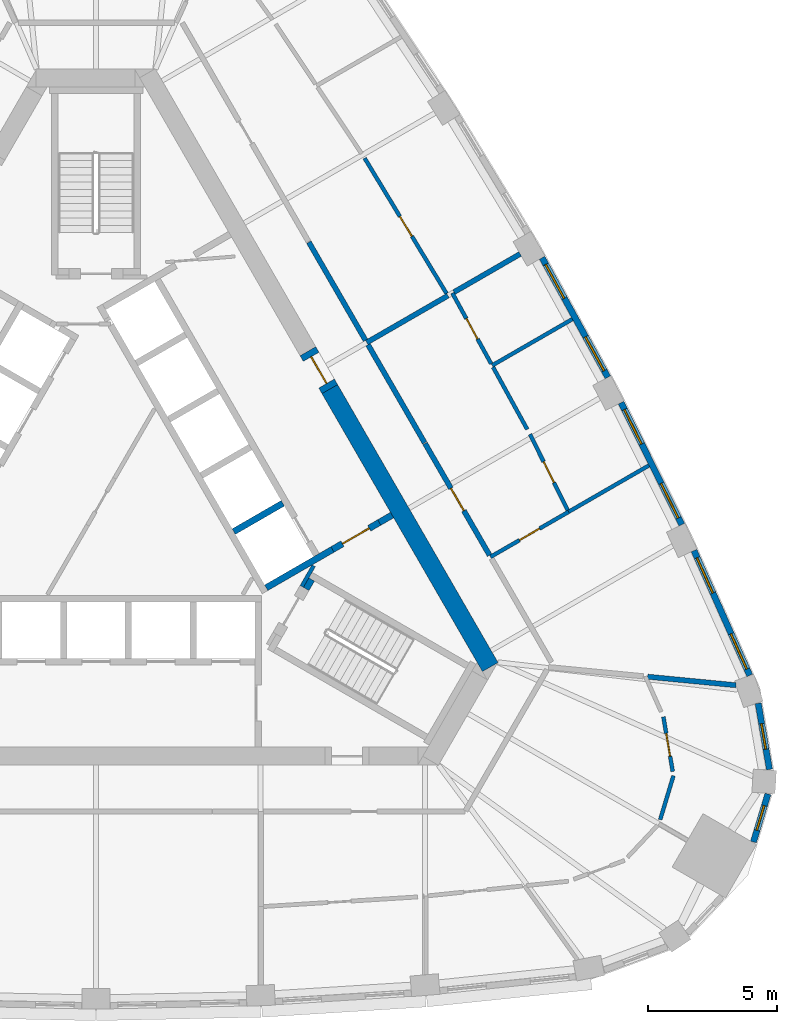
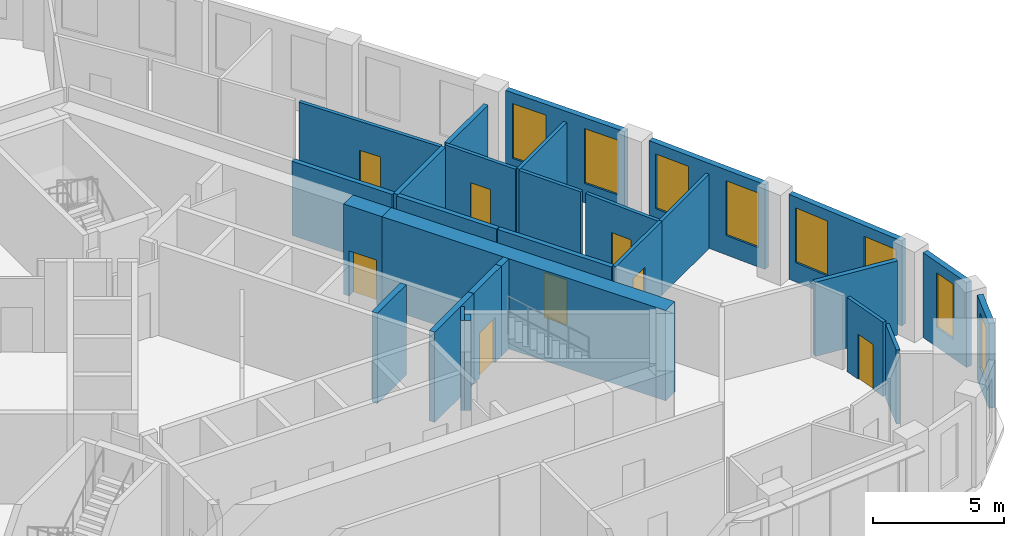
# One storey, part 7 of 10: 28 walls, 8 doors, 8 windows, 16 openings.
"""IFC4 building model written with IfcOpenShell, lengths in metres."""

from ifc_helpers import new_model, si_unit, direction, frame, frame_2d, origin, place, context, subcontext, project, spatial, rectangle, extrude, material, layer, layer_set, type_object, element, fill, save


model = new_model("IFC4")

# Units and contexts
model_context = context("Model", 3, precision=1e-05, world=origin(), true_north=direction((0.0, 1.0)))
body_context = subcontext(model_context, "Body", "Model", "MODEL_VIEW")
ifc_project = project(units=[si_unit("LENGTHUNIT", "METRE"), si_unit("AREAUNIT", "SQUARE_METRE"), si_unit("VOLUMEUNIT", "CUBIC_METRE"), si_unit("PLANEANGLEUNIT", "RADIAN"), si_unit("MASSUNIT", "GRAM", prefix="KILO")], contexts=[model_context])

# Site, building, storey
site_placement = place(None, origin())
site = spatial("IfcSite", under=ifc_project, at=site_placement, CompositionType="ELEMENT")
building_placement = place(site_placement, origin())
building = spatial("IfcBuilding", under=site, at=building_placement, Name="Mestral Congress Tower", CompositionType="ELEMENT")
storey_placement = place(building_placement, frame((0.0, 0.0, 235.199951171875)))
storey = spatial("IfcBuildingStorey", under=building, at=storey_placement, Name="L55", CompositionType="ELEMENT", Elevation=235.199951171875)

# Wall
ifc_material_1 = material(Name="Concrete C60/75", Category="concrete")
ifc_layer_1 = layer(ifc_material_1, 0.699951171875)
ifc_layer_set_1 = layer_set([ifc_layer_1], Name="Concrete C60/75")
wall_type_1 = type_object("IfcWallType", Name="Core wall RC 700", PredefinedType="SOLIDWALL", material=ifc_layer_set_1)
wall_1_placement = place(storey_placement, frame((9.085205078125, 4.263916015625, 0.0), z_axis=(0.0, 0.0, 1.0), x_axis=(0.499998082512, -0.866026510844, 0.0)))
element("IfcWall", 1, at=wall_1_placement, inside=storey, type_object=wall_type_1, Name="L55 core wall", PredefinedType="SOLIDWALL", context=body_context, shape_type="SweptSolid", body=[
    extrude(rectangle(XDim=12.47216796875, YDim=0.699951171875, at=frame_2d((6.236083984375, 0.0))), origin(), (0.0, 0.0, 1.0), 4.199951171875),
])

# Wall, opening, door
wall_2_placement = place(storey_placement, frame((8.2353515625, 5.736083984375, 0.0), z_axis=(0.0, 0.0, 1.0), x_axis=(0.499954529098, -0.86605165483, 0.0)))
wall_2 = element("IfcWall", 2, at=wall_2_placement, inside=storey, type_object=wall_type_1, Name="L55 door wall", PredefinedType="SOLIDWALL", context=body_context, shape_type="SweptSolid", body=[
    extrude(rectangle(XDim=1.699951171875, YDim=0.699951171875, at=frame_2d((0.85009765625, 0.0))), origin(), (0.0, 0.0, 1.0), 4.199951171875),
])
opening_1_placement = place(wall_2_placement, frame((0.25, 0.0, 0.0)))
opening_1 = element("IfcOpeningElement", 3, at=opening_1_placement, cuts=wall_2, Name="Opening XDL", PredefinedType="OPENING", context=body_context, shape_type="SweptSolid", body=[
    extrude(rectangle(XDim=1.199951171875, YDim=2.10009765625, at=frame_2d((0.60009765625, 1.050048828125))), frame((0.0, 0.35986328125, 0.0), z_axis=(0.0, -1.0, 0.0), x_axis=(1.0, 0.0, 0.0)), (0.0, 0.0, 1.0), 0.719970703125),
])
ifc_material_2 = material(Name="Fire-rated steel door set", Category="steel")
door_type_1 = type_object("IfcDoorType", Name="Core door XD 1200x2100", OperationType="SINGLE_SWING_LEFT", PredefinedType="DOOR", material=ifc_material_2)
door_1_placement = place(opening_1_placement, origin())
door_1 = element("IfcDoor", 4, at=door_1_placement, inside=storey, type_object=door_type_1, Name="Door XDL", OperationType="SINGLE_SWING_LEFT", OverallHeight=2.10009765625, OverallWidth=1.199951171875, PredefinedType="DOOR", context=body_context, shape_type="SweptSolid", body=[
    extrude(rectangle(XDim=1.199951171875, YDim=2.10009765625, at=frame_2d((0.60009765625, 1.050048828125))), frame((0.0, 0.02490234375, 0.0), z_axis=(0.0, -1.0, 0.0), x_axis=(1.0, 0.0, 0.0)), (0.0, 0.0, 1.0), 0.050048828125),
])
fill(opening_1, door_1)

# Wall, opening, window
ifc_material_3 = material(Name="Precast concrete C40/50 with limestone facing", Category="masonry")
ifc_layer_2 = layer(ifc_material_3, 0.239990234375)
ifc_layer_set_2 = layer_set([ifc_layer_2], Name="Precast concrete C40/50 with limestone facing")
wall_type_2 = type_object("IfcWallType", Name="Facade stone wall 240", PredefinedType="SOLIDWALL", material=ifc_layer_set_2)
wall_3_placement = place(storey_placement, frame((25.5498046875, -13.334716796875, 0.0), z_axis=(0.0, 0.0, 1.0), x_axis=(0.288727209095, 0.957411405159, 0.0)))
wall_3 = element("IfcWall", 5, at=wall_3_placement, inside=storey, type_object=wall_type_2, Name="Facade wall K0-2", PredefinedType="SOLIDWALL", context=body_context, shape_type="SweptSolid", body=[
    extrude(rectangle(XDim=1.9482421875, YDim=0.239990234375, at=frame_2d((0.97412109375, 0.0))), origin(), (0.0, 0.0, 1.0), 3.949951171875),
])
opening_2_placement = place(wall_3_placement, frame((0.47412109375, 0.0, 0.89990234375)))
opening_2 = element("IfcOpeningElement", 6, at=opening_2_placement, cuts=wall_3, Name="Opening W5", PredefinedType="OPENING", context=body_context, shape_type="SweptSolid", body=[
    extrude(rectangle(XDim=1.0, YDim=2.550048828125, at=frame_2d((0.5, 1.27490234375))), frame((0.0, 0.1298828125, 0.0), z_axis=(0.0, -1.0, 0.0), x_axis=(1.0, 0.0, 0.0)), (0.0, 0.0, 1.0), 0.260009765625),
])
ifc_material_4 = material(Name="Clear low-emissivity double glazing", Category="glass")
window_type_1 = type_object("IfcWindowType", Name="Facade punched window 1000 x 2550 sill 900", PartitioningType="SINGLE_PANEL", PredefinedType="WINDOW", material=ifc_material_4)
window_1_placement = place(opening_2_placement, origin())
window_1 = element("IfcWindow", 7, at=window_1_placement, inside=storey, type_object=window_type_1, Name="Window K0-2", OverallHeight=2.550048828125, OverallWidth=1.0, PartitioningType="SINGLE_PANEL", PredefinedType="WINDOW", context=body_context, shape_type="SweptSolid", body=[
    extrude(rectangle(XDim=1.0, YDim=2.550048828125, at=frame_2d((0.5, 1.27490234375))), frame((0.0, 0.0400390625, 0.0), z_axis=(0.0, -1.0, 0.0), x_axis=(1.0, 0.0, 0.0)), (0.0, 0.0, 1.0), 0.06005859375),
])
fill(opening_2, window_1)

wall_4_placement = place(storey_placement, frame((26.171630859375, -10.517333984375, 0.0), z_axis=(0.0, 0.0, 1.0), x_axis=(-0.167660055546, 0.985844869021, 0.0)))
wall_4 = element("IfcWall", 8, at=wall_4_placement, inside=storey, type_object=wall_type_2, Name="Facade wall K0-3", PredefinedType="SOLIDWALL", context=body_context, shape_type="SweptSolid", body=[
    extrude(rectangle(XDim=2.609375, YDim=0.239990234375, at=frame_2d((1.3046875, 0.0))), origin(), (0.0, 0.0, 1.0), 3.949951171875),
])
opening_3_placement = place(wall_4_placement, frame((0.8046875, 0.0, 0.89990234375)))
opening_3 = element("IfcOpeningElement", 9, at=opening_3_placement, cuts=wall_4, Name="Opening W5", PredefinedType="OPENING", context=body_context, shape_type="SweptSolid", body=[
    extrude(rectangle(XDim=1.0, YDim=2.550048828125, at=frame_2d((0.5, 1.27490234375))), frame((0.0, 0.1298828125, 0.0), z_axis=(0.0, -1.0, 0.0), x_axis=(1.0, 0.0, 0.0)), (0.0, 0.0, 1.0), 0.260009765625),
])
window_2_placement = place(opening_3_placement, origin())
window_2 = element("IfcWindow", 10, at=window_2_placement, inside=storey, type_object=window_type_1, Name="Window K0-3", OverallHeight=2.550048828125, OverallWidth=1.0, PartitioningType="SINGLE_PANEL", PredefinedType="WINDOW", context=body_context, shape_type="SweptSolid", body=[
    extrude(rectangle(XDim=1.0, YDim=2.550048828125, at=frame_2d((0.5, 1.27490234375))), frame((0.0, 0.0400390625, 0.0), z_axis=(0.0, -1.0, 0.0), x_axis=(1.0, 0.0, 0.0)), (0.0, 0.0, 1.0), 0.06005859375),
])
fill(opening_3, window_2)

# Wall, openings, windows
wall_5_placement = place(storey_placement, frame((25.405029296875, -6.86083984375, 0.0), z_axis=(0.0, 0.0, 1.0), x_axis=(-0.407579651789, 0.913169659728, 0.0)))
wall_5 = element("IfcWall", 11, at=wall_5_placement, inside=storey, type_object=wall_type_2, Name="Facade wall F1-00", PredefinedType="SOLIDWALL", context=body_context, shape_type="SweptSolid", body=[
    extrude(rectangle(XDim=5.310791015625, YDim=0.239990234375, at=frame_2d((2.6552734375, 0.0))), origin(), (0.0, 0.0, 1.0), 3.949951171875),
])
opening_4_placement = place(wall_5_placement, frame((0.271484375, 0.0, 0.89990234375)))
opening_4 = element("IfcOpeningElement", 12, at=opening_4_placement, cuts=wall_5, Name="Opening W4", PredefinedType="OPENING", context=body_context, shape_type="SweptSolid", body=[
    extrude(rectangle(XDim=1.5, YDim=2.550048828125, at=frame_2d((0.75, 1.27490234375))), frame((0.0, 0.1298828125, 0.0), z_axis=(0.0, -1.0, 0.0), x_axis=(1.0, 0.0, 0.0)), (0.0, 0.0, 1.0), 0.260009765625),
])
opening_5_placement = place(wall_5_placement, frame((3.50439453125, 0.0, 0.89990234375)))
opening_5 = element("IfcOpeningElement", 13, at=opening_5_placement, cuts=wall_5, Name="Opening W4", PredefinedType="OPENING", context=body_context, shape_type="SweptSolid", body=[
    extrude(rectangle(XDim=1.5, YDim=2.550048828125, at=frame_2d((0.75, 1.27490234375))), frame((0.0, 0.1298828125, 0.0), z_axis=(0.0, -1.0, 0.0), x_axis=(1.0, 0.0, 0.0)), (0.0, 0.0, 1.0), 0.260009765625),
])
window_type_2 = type_object("IfcWindowType", Name="Facade punched window 1500 x 2550 sill 900", PartitioningType="SINGLE_PANEL", PredefinedType="WINDOW", material=ifc_material_4)
window_3_placement = place(opening_4_placement, origin())
window_3 = element("IfcWindow", 14, at=window_3_placement, inside=storey, type_object=window_type_2, Name="Window F1-00a", OverallHeight=2.550048828125, OverallWidth=1.5, PartitioningType="SINGLE_PANEL", PredefinedType="WINDOW", context=body_context, shape_type="SweptSolid", body=[
    extrude(rectangle(XDim=1.5, YDim=2.550048828125, at=frame_2d((0.75, 1.27490234375))), frame((0.0, 0.0400390625, 0.0), z_axis=(0.0, -1.0, 0.0), x_axis=(1.0, 0.0, 0.0)), (0.0, 0.0, 1.0), 0.06005859375),
])
fill(opening_4, window_3)
window_4_placement = place(opening_5_placement, origin())
window_4 = element("IfcWindow", 15, at=window_4_placement, inside=storey, type_object=window_type_2, Name="Window F1-00b", OverallHeight=2.550048828125, OverallWidth=1.5, PartitioningType="SINGLE_PANEL", PredefinedType="WINDOW", context=body_context, shape_type="SweptSolid", body=[
    extrude(rectangle(XDim=1.5, YDim=2.550048828125, at=frame_2d((0.75, 1.27490234375))), frame((0.0, 0.0400390625, 0.0), z_axis=(0.0, -1.0, 0.0), x_axis=(1.0, 0.0, 0.0)), (0.0, 0.0, 1.0), 0.06005859375),
])
fill(opening_5, window_4)

wall_6_placement = place(storey_placement, frame((22.765869140625, -1.0048828125, 0.0), z_axis=(0.0, 0.0, 1.0), x_axis=(-0.445129582031, 0.895466166419, 0.0)))
wall_6 = element("IfcWall", 16, at=wall_6_placement, inside=storey, type_object=wall_type_2, Name="Facade wall F1-01", PredefinedType="SOLIDWALL", context=body_context, shape_type="SweptSolid", body=[
    extrude(rectangle(XDim=5.29833984375, YDim=0.239990234375, at=frame_2d((2.649169921875, 0.0))), origin(), (0.0, 0.0, 1.0), 3.949951171875),
])
opening_6_placement = place(wall_6_placement, frame((0.294677734375, 0.0, 0.89990234375)))
opening_6 = element("IfcOpeningElement", 17, at=opening_6_placement, cuts=wall_6, Name="Opening W4", PredefinedType="OPENING", context=body_context, shape_type="SweptSolid", body=[
    extrude(rectangle(XDim=1.5, YDim=2.550048828125, at=frame_2d((0.75, 1.27490234375))), frame((0.0, 0.1298828125, 0.0), z_axis=(0.0, -1.0, 0.0), x_axis=(1.0, 0.0, 0.0)), (0.0, 0.0, 1.0), 0.260009765625),
])
opening_7_placement = place(wall_6_placement, frame((3.503662109375, 0.0, 0.89990234375)))
opening_7 = element("IfcOpeningElement", 18, at=opening_7_placement, cuts=wall_6, Name="Opening W4", PredefinedType="OPENING", context=body_context, shape_type="SweptSolid", body=[
    extrude(rectangle(XDim=1.5, YDim=2.550048828125, at=frame_2d((0.75, 1.27490234375))), frame((0.0, 0.1298828125, 0.0), z_axis=(0.0, -1.0, 0.0), x_axis=(1.0, 0.0, 0.0)), (0.0, 0.0, 1.0), 0.260009765625),
])
window_5_placement = place(opening_6_placement, origin())
window_5 = element("IfcWindow", 19, at=window_5_placement, inside=storey, type_object=window_type_2, Name="Window F1-01a", OverallHeight=2.550048828125, OverallWidth=1.5, PartitioningType="SINGLE_PANEL", PredefinedType="WINDOW", context=body_context, shape_type="SweptSolid", body=[
    extrude(rectangle(XDim=1.5, YDim=2.550048828125, at=frame_2d((0.75, 1.27490234375))), frame((0.0, 0.0400390625, 0.0), z_axis=(0.0, -1.0, 0.0), x_axis=(1.0, 0.0, 0.0)), (0.0, 0.0, 1.0), 0.06005859375),
])
fill(opening_6, window_5)
window_6_placement = place(opening_7_placement, origin())
window_6 = element("IfcWindow", 20, at=window_6_placement, inside=storey, type_object=window_type_2, Name="Window F1-01b", OverallHeight=2.550048828125, OverallWidth=1.5, PartitioningType="SINGLE_PANEL", PredefinedType="WINDOW", context=body_context, shape_type="SweptSolid", body=[
    extrude(rectangle(XDim=1.5, YDim=2.550048828125, at=frame_2d((0.75, 1.27490234375))), frame((0.0, 0.0400390625, 0.0), z_axis=(0.0, -1.0, 0.0), x_axis=(1.0, 0.0, 0.0)), (0.0, 0.0, 1.0), 0.06005859375),
])
fill(opening_7, window_6)

wall_7_placement = place(storey_placement, frame((19.8916015625, 4.725341796875, 0.0), z_axis=(0.0, 0.0, 1.0), x_axis=(-0.481925825015, 0.876212017256, 0.0)))
wall_7 = element("IfcWall", 21, at=wall_7_placement, inside=storey, type_object=wall_type_2, Name="Facade wall F1-02", PredefinedType="SOLIDWALL", context=body_context, shape_type="SweptSolid", body=[
    extrude(rectangle(XDim=5.298583984375, YDim=0.239990234375, at=frame_2d((2.6494140625, 0.0))), origin(), (0.0, 0.0, 1.0), 3.949951171875),
])
opening_8_placement = place(wall_7_placement, frame((0.294677734375, 0.0, 0.89990234375)))
opening_8 = element("IfcOpeningElement", 22, at=opening_8_placement, cuts=wall_7, Name="Opening W4", PredefinedType="OPENING", context=body_context, shape_type="SweptSolid", body=[
    extrude(rectangle(XDim=1.5, YDim=2.550048828125, at=frame_2d((0.75, 1.27490234375))), frame((0.0, 0.1298828125, 0.0), z_axis=(0.0, -1.0, 0.0), x_axis=(1.0, 0.0, 0.0)), (0.0, 0.0, 1.0), 0.260009765625),
])
opening_9_placement = place(wall_7_placement, frame((3.503662109375, 0.0, 0.89990234375)))
opening_9 = element("IfcOpeningElement", 23, at=opening_9_placement, cuts=wall_7, Name="Opening W4", PredefinedType="OPENING", context=body_context, shape_type="SweptSolid", body=[
    extrude(rectangle(XDim=1.5, YDim=2.550048828125, at=frame_2d((0.75, 1.27490234375))), frame((0.0, 0.1298828125, 0.0), z_axis=(0.0, -1.0, 0.0), x_axis=(1.0, 0.0, 0.0)), (0.0, 0.0, 1.0), 0.260009765625),
])
window_7_placement = place(opening_8_placement, origin())
window_7 = element("IfcWindow", 24, at=window_7_placement, inside=storey, type_object=window_type_2, Name="Window F1-02a", OverallHeight=2.550048828125, OverallWidth=1.5, PartitioningType="SINGLE_PANEL", PredefinedType="WINDOW", context=body_context, shape_type="SweptSolid", body=[
    extrude(rectangle(XDim=1.5, YDim=2.550048828125, at=frame_2d((0.75, 1.27490234375))), frame((0.0, 0.0400390625, 0.0), z_axis=(0.0, -1.0, 0.0), x_axis=(1.0, 0.0, 0.0)), (0.0, 0.0, 1.0), 0.06005859375),
])
fill(opening_8, window_7)
window_8_placement = place(opening_9_placement, origin())
window_8 = element("IfcWindow", 25, at=window_8_placement, inside=storey, type_object=window_type_2, Name="Window F1-02b", OverallHeight=2.550048828125, OverallWidth=1.5, PartitioningType="SINGLE_PANEL", PredefinedType="WINDOW", context=body_context, shape_type="SweptSolid", body=[
    extrude(rectangle(XDim=1.5, YDim=2.550048828125, at=frame_2d((0.75, 1.27490234375))), frame((0.0, 0.0400390625, 0.0), z_axis=(0.0, -1.0, 0.0), x_axis=(1.0, 0.0, 0.0)), (0.0, 0.0, 1.0), 0.06005859375),
])
fill(opening_9, window_8)

# Wall
ifc_material_5 = material(Name="Plasterboard partition on steel studs", Category="steel")
ifc_layer_3 = layer(ifc_material_5, 0.14990234375)
ifc_layer_set_3 = layer_set([ifc_layer_3], Name="Plasterboard partition on steel studs")
wall_type_3 = type_object("IfcWallType", Name="Office partition 150", PredefinedType="PARTITIONING", material=ifc_layer_set_3)
wall_8_placement = place(storey_placement, frame((21.92529296875, -12.468994140625, 0.0), z_axis=(0.0, 0.0, 1.0), x_axis=(0.288767705809, 0.957399191603, 0.0)))
element("IfcWall", 26, at=wall_8_placement, inside=storey, type_object=wall_type_3, Name="Partition", PredefinedType="PARTITIONING", context=body_context, shape_type="SweptSolid", body=[
    extrude(rectangle(XDim=1.7822265625, YDim=0.14990234375, at=frame_2d((0.89111328125, 0.0))), origin(), (0.0, 0.0, 1.0), 3.449951171875),
])

# Wall, opening, door
wall_9_placement = place(storey_placement, frame((22.05029296875, -8.471435546875, 0.0), z_axis=(0.0, 0.0, 1.0), x_axis=(0.167612004459, -0.985853039738, 0.0)))
wall_9 = element("IfcWall", 27, at=wall_9_placement, inside=storey, type_object=wall_type_3, Name="Partition", PredefinedType="PARTITIONING", context=body_context, shape_type="SweptSolid", body=[
    extrude(rectangle(XDim=2.15576171875, YDim=0.14990234375, at=frame_2d((1.077880859375, 0.0))), origin(), (0.0, 0.0, 1.0), 3.449951171875),
])
opening_10_placement = place(wall_9_placement, frame((0.655517578125, 0.0, 0.0)))
opening_10 = element("IfcOpeningElement", 28, at=opening_10_placement, cuts=wall_9, Name="Opening O08-010", PredefinedType="OPENING", context=body_context, shape_type="SweptSolid", body=[
    extrude(rectangle(XDim=0.89990234375, YDim=2.10009765625, at=frame_2d((0.449951171875, 1.050048828125))), frame((0.0, 0.0849609375, 0.0), z_axis=(0.0, -1.0, 0.0), x_axis=(1.0, 0.0, 0.0)), (0.0, 0.0, 1.0), 0.169921875),
])
ifc_material_6 = material(Name="Timber door set", Category="wood")
door_type_2 = type_object("IfcDoorType", Name="Office door 900x2100", OperationType="SINGLE_SWING_LEFT", PredefinedType="DOOR", material=ifc_material_6)
door_2_placement = place(opening_10_placement, origin())
door_2 = element("IfcDoor", 29, at=door_2_placement, inside=storey, type_object=door_type_2, Name="Door O08-010", OperationType="SINGLE_SWING_RIGHT", OverallHeight=2.10009765625, OverallWidth=0.89990234375, PredefinedType="DOOR", context=body_context, shape_type="SweptSolid", body=[
    extrude(rectangle(XDim=0.89990234375, YDim=2.10009765625, at=frame_2d((0.449951171875, 1.050048828125))), frame((0.0, 0.02490234375, 0.0), z_axis=(0.0, -1.0, 0.0), x_axis=(1.0, 0.0, 0.0)), (0.0, 0.0, 1.0), 0.050048828125),
])
fill(opening_10, door_2)

# Wall
wall_10_placement = place(storey_placement, frame((18.360107421875, -0.5078125, 0.0), z_axis=(0.0, 0.0, 1.0), x_axis=(0.866033589339, 0.499985821935, 0.0)))
element("IfcWall", 30, at=wall_10_placement, inside=storey, type_object=wall_type_3, Name="Partition", PredefinedType="PARTITIONING", context=body_context, shape_type="SweptSolid", body=[
    extrude(rectangle(XDim=3.61083984375, YDim=0.14990234375, at=frame_2d((1.805419921875, 0.0))), origin(), (0.0, 0.0, 1.0), 3.449951171875),
])

# Wall, opening, door
wall_11_placement = place(storey_placement, frame((18.366943359375, -0.50390625, 0.0), z_axis=(0.0, 0.0, 1.0), x_axis=(-0.866056812483, -0.499945594592, 0.0)))
wall_11 = element("IfcWall", 31, at=wall_11_placement, inside=storey, type_object=wall_type_3, Name="Partition", PredefinedType="PARTITIONING", context=body_context, shape_type="SweptSolid", body=[
    extrude(rectangle(XDim=3.50439453125, YDim=0.14990234375, at=frame_2d((1.752197265625, 0.0))), origin(), (0.0, 0.0, 1.0), 3.449951171875),
])
opening_11_placement = place(wall_11_placement, frame((1.30419921875, 0.0, 0.0)))
opening_11 = element("IfcOpeningElement", 32, at=opening_11_placement, cuts=wall_11, Name="Opening O08-012", PredefinedType="OPENING", context=body_context, shape_type="SweptSolid", body=[
    extrude(rectangle(XDim=0.89990234375, YDim=2.10009765625, at=frame_2d((0.449951171875, 1.050048828125))), frame((0.0, 0.0849609375, 0.0), z_axis=(0.0, -1.0, 0.0), x_axis=(1.0, 0.0, 0.0)), (0.0, 0.0, 1.0), 0.169921875),
])
door_3_placement = place(opening_11_placement, origin())
door_3 = element("IfcDoor", 33, at=door_3_placement, inside=storey, type_object=door_type_2, Name="Door O08-012", OperationType="SINGLE_SWING_RIGHT", OverallHeight=2.10009765625, OverallWidth=0.89990234375, PredefinedType="DOOR", context=body_context, shape_type="SweptSolid", body=[
    extrude(rectangle(XDim=0.89990234375, YDim=2.10009765625, at=frame_2d((0.449951171875, 1.050048828125))), frame((0.0, 0.02490234375, 0.0), z_axis=(0.0, -1.0, 0.0), x_axis=(1.0, 0.0, 0.0)), (0.0, 0.0, 1.0), 0.050048828125),
])
fill(opening_11, door_3)

# Wall
wall_12_placement = place(storey_placement, frame((15.394287109375, 5.18310546875, 0.0), z_axis=(0.0, 0.0, 1.0), x_axis=(0.866039935929, 0.499974828743, 0.0)))
element("IfcWall", 34, at=wall_12_placement, inside=storey, type_object=wall_type_3, Name="Partition", PredefinedType="PARTITIONING", context=body_context, shape_type="SweptSolid", body=[
    extrude(rectangle(XDim=3.600830078125, YDim=0.14990234375, at=frame_2d((1.80029296875, 0.0))), origin(), (0.0, 0.0, 1.0), 3.449951171875),
])

# Wall, opening, door
wall_13_placement = place(storey_placement, frame((16.86279296875, 2.5126953125, 0.0), z_axis=(0.0, 0.0, 1.0), x_axis=(0.445197589821, -0.895432357031, 0.0)))
wall_13 = element("IfcWall", 35, at=wall_13_placement, inside=storey, type_object=wall_type_3, Name="Partition", PredefinedType="PARTITIONING", context=body_context, shape_type="SweptSolid", body=[
    extrude(rectangle(XDim=3.2958984375, YDim=0.14990234375, at=frame_2d((1.64794921875, 0.0))), origin(), (0.0, 0.0, 1.0), 3.449951171875),
])
opening_12_placement = place(wall_13_placement, frame((1.19580078125, 0.0, 0.0)))
opening_12 = element("IfcOpeningElement", 36, at=opening_12_placement, cuts=wall_13, Name="Opening O08-013", PredefinedType="OPENING", context=body_context, shape_type="SweptSolid", body=[
    extrude(rectangle(XDim=0.89990234375, YDim=2.10009765625, at=frame_2d((0.449951171875, 1.050048828125))), frame((0.0, 0.0849609375, 0.0), z_axis=(0.0, -1.0, 0.0), x_axis=(1.0, 0.0, 0.0)), (0.0, 0.0, 1.0), 0.169921875),
])
door_4_placement = place(opening_12_placement, origin())
door_4 = element("IfcDoor", 37, at=door_4_placement, inside=storey, type_object=door_type_2, Name="Door O08-013", OperationType="SINGLE_SWING_LEFT", OverallHeight=2.10009765625, OverallWidth=0.89990234375, PredefinedType="DOOR", context=body_context, shape_type="SweptSolid", body=[
    extrude(rectangle(XDim=0.89990234375, YDim=2.10009765625, at=frame_2d((0.449951171875, 1.050048828125))), frame((0.0, 0.02490234375, 0.0), z_axis=(0.0, -1.0, 0.0), x_axis=(1.0, 0.0, 0.0)), (0.0, 0.0, 1.0), 0.050048828125),
])
fill(opening_12, door_4)

# Wall
wall_14_placement = place(storey_placement, frame((16.759521484375, 2.700439453125, 0.0), z_axis=(0.0, 0.0, 1.0), x_axis=(-0.481888167687, 0.876232728128, 0.0)))
element("IfcWall", 38, at=wall_14_placement, inside=storey, type_object=wall_type_3, Name="Partition", PredefinedType="PARTITIONING", context=body_context, shape_type="SweptSolid", body=[
    extrude(rectangle(XDim=2.758056640625, YDim=0.14990234375, at=frame_2d((1.37890625, 0.0))), origin(), (0.0, 0.0, 1.0), 3.449951171875),
])

# Wall, opening, door
wall_15_placement = place(storey_placement, frame((13.84765625, 7.994873046875, 0.0), z_axis=(0.0, 0.0, 1.0), x_axis=(0.481894826099, -0.876229066272, 0.0)))
wall_15 = element("IfcWall", 39, at=wall_15_placement, inside=storey, type_object=wall_type_3, Name="Partition", PredefinedType="PARTITIONING", context=body_context, shape_type="SweptSolid", body=[
    extrude(rectangle(XDim=3.134033203125, YDim=0.14990234375, at=frame_2d((1.56689453125, 0.0))), origin(), (0.0, 0.0, 1.0), 3.449951171875),
])
opening_13_placement = place(wall_15_placement, frame((1.134033203125, 0.0, 0.0)))
opening_13 = element("IfcOpeningElement", 40, at=opening_13_placement, cuts=wall_15, Name="Opening O08-014", PredefinedType="OPENING", context=body_context, shape_type="SweptSolid", body=[
    extrude(rectangle(XDim=0.89990234375, YDim=2.10009765625, at=frame_2d((0.449951171875, 1.050048828125))), frame((0.0, 0.0849609375, 0.0), z_axis=(0.0, -1.0, 0.0), x_axis=(1.0, 0.0, 0.0)), (0.0, 0.0, 1.0), 0.169921875),
])
door_5_placement = place(opening_13_placement, origin())
door_5 = element("IfcDoor", 41, at=door_5_placement, inside=storey, type_object=door_type_2, Name="Door O08-014", OperationType="SINGLE_SWING_RIGHT", OverallHeight=2.10009765625, OverallWidth=0.89990234375, PredefinedType="DOOR", context=body_context, shape_type="SweptSolid", body=[
    extrude(rectangle(XDim=0.89990234375, YDim=2.10009765625, at=frame_2d((0.449951171875, 1.050048828125))), frame((0.0, 0.02490234375, 0.0), z_axis=(0.0, -1.0, 0.0), x_axis=(1.0, 0.0, 0.0)), (0.0, 0.0, 1.0), 0.050048828125),
])
fill(opening_13, door_5)

wall_16_placement = place(storey_placement, frame((10.438720703125, 13.240234375, 0.0), z_axis=(0.0, 0.0, 1.0), x_axis=(0.517837859082, -0.855478785068, 0.0)))
wall_16 = element("IfcWall", 42, at=wall_16_placement, inside=storey, type_object=wall_type_3, Name="Partition", PredefinedType="PARTITIONING", context=body_context, shape_type="SweptSolid", body=[
    extrude(rectangle(XDim=6.1484375, YDim=0.14990234375, at=frame_2d((3.07421875, 0.0))), origin(), (0.0, 0.0, 1.0), 3.449951171875),
])
opening_14_placement = place(wall_16_placement, frame((2.6484375, 0.0, 0.0)))
opening_14 = element("IfcOpeningElement", 43, at=opening_14_placement, cuts=wall_16, Name="Opening O08-016", PredefinedType="OPENING", context=body_context, shape_type="SweptSolid", body=[
    extrude(rectangle(XDim=0.89990234375, YDim=2.10009765625, at=frame_2d((0.449951171875, 1.050048828125))), frame((0.0, 0.0849609375, 0.0), z_axis=(0.0, -1.0, 0.0), x_axis=(1.0, 0.0, 0.0)), (0.0, 0.0, 1.0), 0.169921875),
])
door_6_placement = place(opening_14_placement, origin())
door_6 = element("IfcDoor", 44, at=door_6_placement, inside=storey, type_object=door_type_2, Name="Door O08-016", OperationType="SINGLE_SWING_RIGHT", OverallHeight=2.10009765625, OverallWidth=0.89990234375, PredefinedType="DOOR", context=body_context, shape_type="SweptSolid", body=[
    extrude(rectangle(XDim=0.89990234375, YDim=2.10009765625, at=frame_2d((0.449951171875, 1.050048828125))), frame((0.0, 0.02490234375, 0.0), z_axis=(0.0, -1.0, 0.0), x_axis=(1.0, 0.0, 0.0)), (0.0, 0.0, 1.0), 0.050048828125),
])
fill(opening_14, door_6)

# Walls
ifc_material_7 = material(Name="Dense masonry wall, plastered", Category="masonry")
ifc_layer_4 = layer(ifc_material_7, 0.199951171875)
ifc_layer_set_4 = layer_set([ifc_layer_4], Name="Dense masonry wall, plastered")
wall_type_4 = type_object("IfcWallType", Name="Office tenancy wall 200", PredefinedType="PARTITIONING", material=ifc_layer_set_4)
wall_17_placement = place(storey_placement, frame((21.4365234375, -6.91259765625, 0.0), z_axis=(0.0, 0.0, 1.0), x_axis=(0.995357015301, -0.096251816042, 0.0)))
element("IfcWall", 45, at=wall_17_placement, inside=storey, type_object=wall_type_4, Name="Tenancy wall", PredefinedType="PARTITIONING", context=body_context, shape_type="SweptSolid", body=[
    extrude(rectangle(XDim=3.44970703125, YDim=0.199951171875, at=frame_2d((1.724853515625, 0.0))), origin(), (0.0, 0.0, 1.0), 3.449951171875),
])
wall_18_placement = place(storey_placement, frame((13.91259765625, 8.032470703125, 0.0), z_axis=(0.0, 0.0, 1.0), x_axis=(0.866015594979, 0.500016988964, 0.0)))
element("IfcWall", 46, at=wall_18_placement, inside=storey, type_object=wall_type_4, Name="Tenancy wall", PredefinedType="PARTITIONING", context=body_context, shape_type="SweptSolid", body=[
    extrude(rectangle(XDim=2.9658203125, YDim=0.199951171875, at=frame_2d((1.48291015625, 0.0))), origin(), (0.0, 0.0, 1.0), 3.449951171875),
])
wall_19_placement = place(storey_placement, frame((10.522216796875, 6.074951171875, 0.0), z_axis=(0.0, 0.0, 1.0), x_axis=(0.866003708037, 0.500037576254, 0.0)))
element("IfcWall", 47, at=wall_19_placement, inside=storey, type_object=wall_type_4, Name="Tenancy wall", PredefinedType="PARTITIONING", context=body_context, shape_type="SweptSolid", body=[
    extrude(rectangle(XDim=3.643798828125, YDim=0.199951171875, at=frame_2d((1.82177734375, 0.0))), origin(), (0.0, 0.0, 1.0), 3.449951171875),
])
wall_20_placement = place(storey_placement, frame((12.772216796875, 2.177978515625, 0.0), z_axis=(0.0, 0.0, 1.0), x_axis=(-0.50001224981, 0.866018331238, 0.0)))
element("IfcWall", 48, at=wall_20_placement, inside=storey, type_object=wall_type_4, Name="Tenancy wall", PredefinedType="PARTITIONING", context=body_context, shape_type="SweptSolid", body=[
    extrude(rectangle(XDim=4.39990234375, YDim=0.199951171875, at=frame_2d((2.199951171875, 0.0))), origin(), (0.0, 0.0, 1.0), 3.449951171875),
])

# Wall, opening, door
wall_21_placement = place(storey_placement, frame((15.294677734375, -2.19091796875, 0.0), z_axis=(0.0, 0.0, 1.0), x_axis=(-0.500039923732, 0.86600235258, 0.0)))
wall_21 = element("IfcWall", 49, at=wall_21_placement, inside=storey, type_object=wall_type_4, Name="Tenancy wall", PredefinedType="PARTITIONING", context=body_context, shape_type="SweptSolid", body=[
    extrude(rectangle(XDim=5.0146484375, YDim=0.199951171875, at=frame_2d((2.50732421875, 0.0))), origin(), (0.0, 0.0, 1.0), 3.449951171875),
])
opening_15_placement = place(wall_21_placement, frame((2.0, 0.0, 0.0)))
opening_15 = element("IfcOpeningElement", 50, at=opening_15_placement, cuts=wall_21, Name="Opening O08-015", PredefinedType="OPENING", context=body_context, shape_type="SweptSolid", body=[
    extrude(rectangle(XDim=1.0, YDim=2.10009765625, at=frame_2d((0.5, 1.050048828125))), frame((0.0, 0.10986328125, 0.0), z_axis=(0.0, -1.0, 0.0), x_axis=(1.0, 0.0, 0.0)), (0.0, 0.0, 1.0), 0.219970703125),
])
ifc_material_8 = material(Name="Fire-rated timber door set", Category="wood")
door_type_3 = type_object("IfcDoorType", Name="Office tenancy entrance door 1000x2100", OperationType="SINGLE_SWING_LEFT", PredefinedType="DOOR", material=ifc_material_8)
door_7_placement = place(opening_15_placement, origin())
door_7 = element("IfcDoor", 51, at=door_7_placement, inside=storey, type_object=door_type_3, Name="Door O08-015", OperationType="SINGLE_SWING_LEFT", OverallHeight=2.10009765625, OverallWidth=1.0, PredefinedType="DOOR", context=body_context, shape_type="SweptSolid", body=[
    extrude(rectangle(XDim=1.0, YDim=2.10009765625, at=frame_2d((0.5, 1.050048828125))), frame((0.0, 0.02490234375, 0.0), z_axis=(0.0, -1.0, 0.0), x_axis=(1.0, 0.0, 0.0)), (0.0, 0.0, 1.0), 0.050048828125),
])
fill(opening_15, door_7)

# Walls
wall_22_placement = place(storey_placement, frame((10.47216796875, 6.16162109375, 0.0), z_axis=(0.0, 0.0, 1.0), x_axis=(-0.499988222896, 0.866032203192, 0.0)))
element("IfcWall", 52, at=wall_22_placement, inside=storey, type_object=wall_type_4, Name="Tenancy wall", PredefinedType="PARTITIONING", context=body_context, shape_type="SweptSolid", body=[
    extrude(rectangle(XDim=4.39990234375, YDim=0.199951171875, at=frame_2d((2.199951171875, 0.0))), origin(), (0.0, 0.0, 1.0), 3.449951171875),
])
ifc_layer_5 = layer(ifc_material_1, 0.25)
ifc_layer_set_5 = layer_set([ifc_layer_5], Name="Concrete C60/75")
wall_type_5 = type_object("IfcWallType", Name="Shaft wall RC 250", PredefinedType="SOLIDWALL", material=ifc_layer_set_5)
wall_23_placement = place(storey_placement, frame((11.507080078125, -0.631103515625, 0.0), z_axis=(0.0, 0.0, 1.0), x_axis=(-0.866093731455, -0.499881634324, 0.0)))
element("IfcWall", 53, at=wall_23_placement, inside=storey, type_object=wall_type_5, Name="L55 core wall", PredefinedType="SOLIDWALL", context=body_context, shape_type="SweptSolid", body=[
    extrude(rectangle(XDim=0.575439453125, YDim=0.25, at=frame_2d((0.28759765625, 0.0))), origin(), (0.0, 0.0, 1.0), 4.199951171875),
])
wall_24_placement = place(storey_placement, frame((5.35400390625, -1.273681640625, 0.0), z_axis=(0.0, 0.0, 1.0), x_axis=(0.866008176907, 0.50002983664, 0.0)))
element("IfcWall", 54, at=wall_24_placement, inside=storey, type_object=wall_type_5, Name="L55 core wall", PredefinedType="SOLIDWALL", context=body_context, shape_type="SweptSolid", body=[
    extrude(rectangle(XDim=2.199951171875, YDim=0.25, at=frame_2d((1.10009765625, 0.0))), origin(), (0.0, 0.0, 1.0), 4.199951171875),
])
wall_25_placement = place(storey_placement, frame((6.614013671875, -3.4560546875, 0.0), z_axis=(0.0, 0.0, 1.0), x_axis=(0.866032512851, 0.499987686533, 0.0)))
element("IfcWall", 55, at=wall_25_placement, inside=storey, type_object=wall_type_5, Name="L55 core wall", PredefinedType="SOLIDWALL", context=body_context, shape_type="SweptSolid", body=[
    extrude(rectangle(XDim=2.974609375, YDim=0.25, at=frame_2d((1.4873046875, 0.0))), origin(), (0.0, 0.0, 1.0), 4.199951171875),
])

# Wall, opening, door
wall_26_placement = place(storey_placement, frame((11.0087890625, -0.918701171875, 0.0), z_axis=(0.0, 0.0, 1.0), x_axis=(-0.866059744384, -0.49994051562, 0.0)))
wall_26 = element("IfcWall", 56, at=wall_26_placement, inside=storey, type_object=wall_type_5, Name="L55 door wall", PredefinedType="SOLIDWALL", context=body_context, shape_type="SweptSolid", body=[
    extrude(rectangle(XDim=2.099853515625, YDim=0.25, at=frame_2d((1.0498046875, 0.0))), origin(), (0.0, 0.0, 1.0), 4.199951171875),
])
opening_16_placement = place(wall_26_placement, frame((0.449951171875, 0.0, 0.0)))
opening_16 = element("IfcOpeningElement", 57, at=opening_16_placement, cuts=wall_26, Name="Opening LB1-PX10", PredefinedType="OPENING", context=body_context, shape_type="SweptSolid", body=[
    extrude(rectangle(XDim=1.199951171875, YDim=2.10009765625, at=frame_2d((0.60009765625, 1.050048828125))), frame((0.0, 0.135009765625, 0.0), z_axis=(0.0, -1.0, 0.0), x_axis=(1.0, 0.0, 0.0)), (0.0, 0.0, 1.0), 0.27001953125),
])
door_type_4 = type_object("IfcDoorType", Name="Core door LB 1200x2100", OperationType="SINGLE_SWING_LEFT", PredefinedType="DOOR", material=ifc_material_2)
door_8_placement = place(opening_16_placement, origin())
door_8 = element("IfcDoor", 58, at=door_8_placement, inside=storey, type_object=door_type_4, Name="Door LB1-PX10", OperationType="SINGLE_SWING_LEFT", OverallHeight=2.10009765625, OverallWidth=1.199951171875, PredefinedType="DOOR", context=body_context, shape_type="SweptSolid", body=[
    extrude(rectangle(XDim=1.199951171875, YDim=2.10009765625, at=frame_2d((0.60009765625, 1.050048828125))), frame((0.0, 0.02490234375, 0.0), z_axis=(0.0, -1.0, 0.0), x_axis=(1.0, 0.0, 0.0)), (0.0, 0.0, 1.0), 0.050048828125),
])
fill(opening_16, door_8)

# Walls
ifc_layer_6 = layer(ifc_material_1, 0.14990234375)
ifc_layer_set_6 = layer_set([ifc_layer_6], Name="Concrete C60/75")
wall_type_6 = type_object("IfcWallType", Name="Shaft wall RC 250 door-wall 150", PredefinedType="SOLIDWALL", material=ifc_layer_set_6)
wall_27_placement = place(storey_placement, frame((8.459228515625, -2.59912109375, 0.0), z_axis=(0.0, 0.0, 1.0), x_axis=(-0.500041054325, -0.866001699761, 0.0)))
element("IfcWall", 59, at=wall_27_placement, inside=storey, type_object=wall_type_6, Name="L55 core wall", PredefinedType="PARTITIONING", context=body_context, shape_type="SweptSolid", body=[
    extrude(rectangle(XDim=0.9287109375, YDim=0.14990234375, at=frame_2d((0.46435546875, 0.0))), origin(), (0.0, 0.0, 1.0), 4.199951171875),
])
ifc_layer_7 = layer(ifc_material_1, 0.25)
ifc_layer_set_7 = layer_set([ifc_layer_7], Name="Concrete C60/75")
wall_type_7 = type_object("IfcWallType", Name="Stair wall RC 250", PredefinedType="SOLIDWALL", material=ifc_layer_set_7)
wall_28_placement = place(storey_placement, frame((8.167724609375, -3.503173828125, 0.0), z_axis=(0.0, 0.0, 1.0), x_axis=(0.49972245349, 0.866185586049, 0.0)))
element("IfcWall", 60, at=wall_28_placement, inside=storey, type_object=wall_type_7, Name="L55 core wall", PredefinedType="SOLIDWALL", context=body_context, shape_type="SweptSolid", body=[
    extrude(rectangle(XDim=0.425048828125, YDim=0.25, at=frame_2d((0.21240234375, 0.0))), origin(), (0.0, 0.0, 1.0), 4.199951171875),
])

save(model, "model.ifc")
